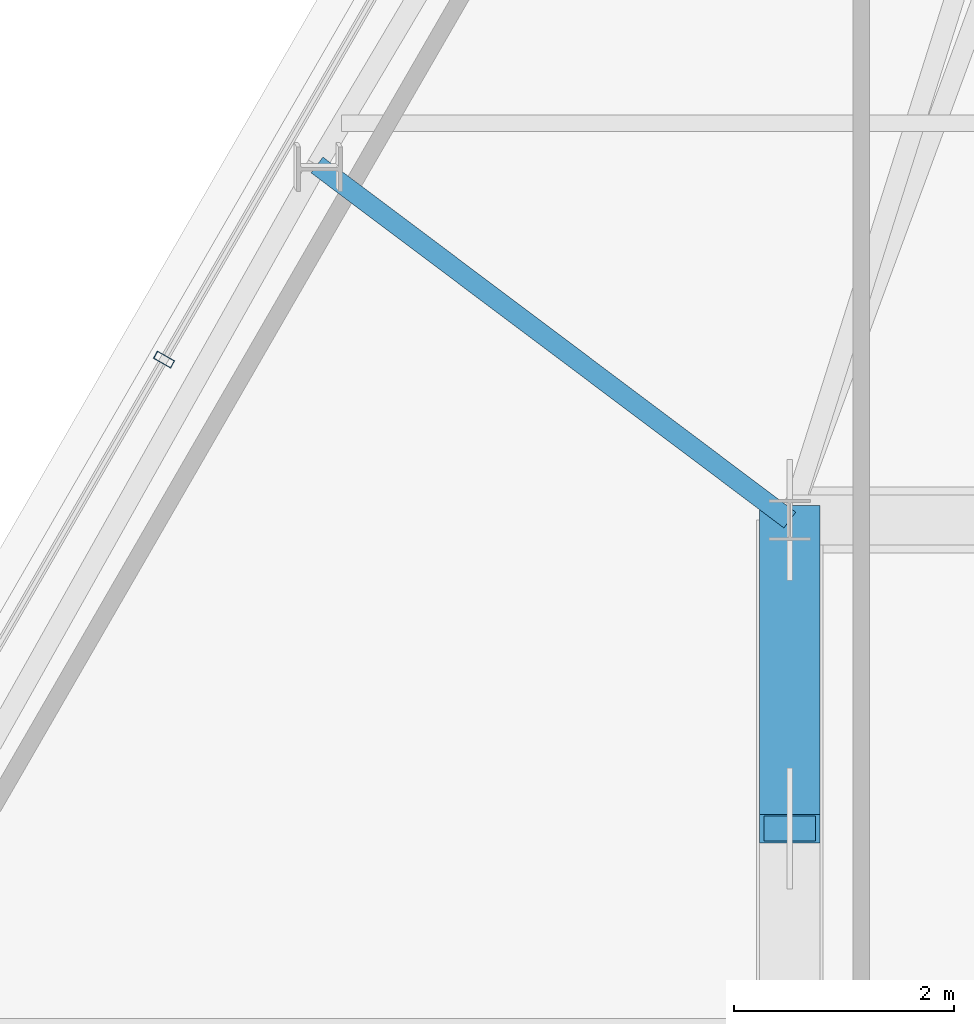
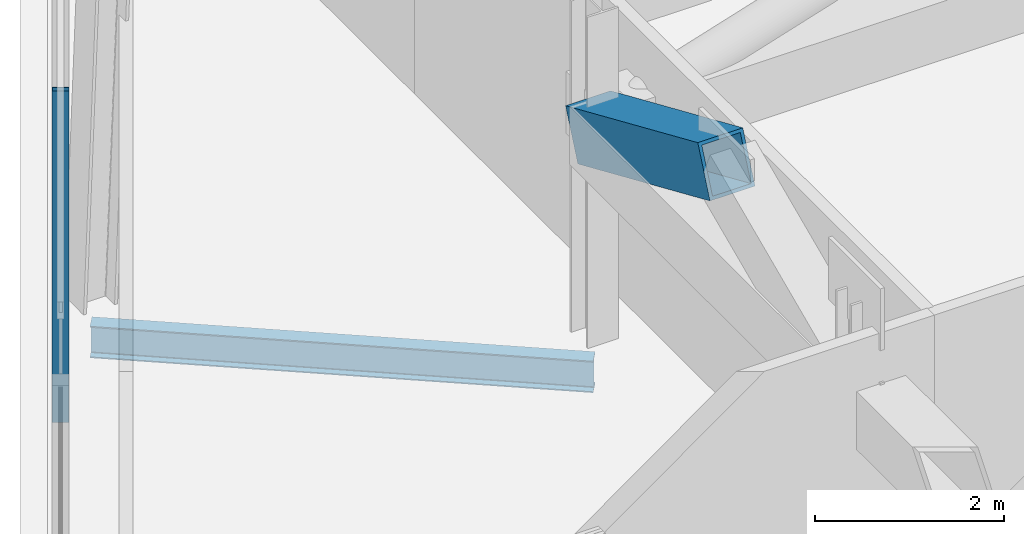
# One storey, part 12 of 32: 2 members, 1 beam, 1 element without a shape of its own.
"""IFC4 building model written with IfcOpenShell, lengths in metres."""

import ifcopenshell
import ifcopenshell.guid

model = None  # the IFC model being written
_history = None  # IfcOwnerHistory: only IFC2X3 demands one
_inside = {}  # id of a spatial element -> (the spatial element, [elements in it])
_under = {}  # id of a project, library or spatial element -> (it, [spatial elements below it])
_declared = {}  # id of a project -> (the project, [libraries it declares])
_typed = {}  # id of a type object -> (the type object, [elements of that type])
_made_of = {}  # id of a material, layer set ... -> (it, [elements and type objects made of it])


def new_model(schema):
    """Start an empty IFC model of exactly this schema.

    Asked for "IFC4X3", IfcOpenShell would pick the latest addendum, in which some entities
    have other attributes; the version numbers below select the first issue.
    IFC2X3 requires an IfcOwnerHistory on every rooted entity: one is made here for all.
    """
    global model, _history
    if schema == "IFC4X3":
        model = ifcopenshell.file(schema_version=(4, 3, 0, 0))
    else:
        model = ifcopenshell.file(schema=schema)
    _inside.clear()
    _under.clear()
    _declared.clear()
    _typed.clear()
    _made_of.clear()
    _history = None
    if model.schema == "IFC2X3":
        org = make("IfcOrganization", Name="unknown")
        user = make(
            "IfcPersonAndOrganization",
            ThePerson=make("IfcPerson", FamilyName="unknown"),
            TheOrganization=org,
        )
        app = make(
            "IfcApplication",
            ApplicationDeveloper=org,
            Version="unknown",
            ApplicationFullName="unknown",
            ApplicationIdentifier="unknown",
        )
        _history = make(
            "IfcOwnerHistory",
            OwningUser=user,
            OwningApplication=app,
            ChangeAction="ADDED",
            CreationDate=0,
        )
    return model


def make(cls, **values):
    """One entity of the class cls with the attributes given. An attribute that is None is left unset."""
    return model.create_entity(
        cls, **{name: value for name, value in values.items() if value is not None}
    )


def rooted(cls, **values):
    """An entity with a GlobalId (a new one), such as an element, a storey or a relation."""
    return make(cls, GlobalId=ifcopenshell.guid.new(), OwnerHistory=_history, **values)


def si_unit(unit_type, name, prefix=None):
    """IfcSIUnit, for example si_unit("LENGTHUNIT", "METRE", prefix="MILLI")."""
    return make("IfcSIUnit", UnitType=unit_type, Prefix=prefix, Name=name)


def assignment(units):
    """IfcUnitAssignment: the units of a project."""
    return None if units is None else make("IfcUnitAssignment", Units=units)


def point(xyz):
    """IfcCartesianPoint."""
    return None if xyz is None else make("IfcCartesianPoint", Coordinates=xyz)


def direction(xyz):
    """IfcDirection."""
    return None if xyz is None else make("IfcDirection", DirectionRatios=xyz)


def frame(location, z_axis=None, x_axis=None):
    """IfcAxis2Placement3D, a coordinate frame: its origin and axes. An axis left out is left unset."""
    return make(
        "IfcAxis2Placement3D",
        Location=point(location),
        Axis=direction(z_axis),
        RefDirection=direction(x_axis),
    )


def frame_2d(location, x_axis=None):
    """IfcAxis2Placement2D, a coordinate frame in the plane: its origin and x axis."""
    return make(
        "IfcAxis2Placement2D", Location=point(location), RefDirection=direction(x_axis)
    )


def origin():
    """The frame at (0, 0, 0) with its axes left unset."""
    return frame((0.0, 0.0, 0.0))


def origin_2d():
    """The frame at (0, 0) in the plane with its x axis left unset."""
    return frame_2d((0.0, 0.0))


def place(relative_to, where):
    """IfcLocalPlacement: puts the frame where relative to a parent placement (None: the world)."""
    return make(
        "IfcLocalPlacement", PlacementRelTo=relative_to, RelativePlacement=where
    )


def context(
    kind, dimensions, precision=None, world=None, true_north=None, identifier=None
):
    """IfcGeometricRepresentationContext, for example the 3D "Model" context."""
    return make(
        "IfcGeometricRepresentationContext",
        ContextIdentifier=identifier,
        ContextType=kind,
        CoordinateSpaceDimension=dimensions,
        Precision=precision,
        WorldCoordinateSystem=world,
        TrueNorth=true_north,
    )


def subcontext(parent, identifier, kind, view, scale=None):
    """IfcGeometricRepresentationSubContext, for example "Body" below "Model"."""
    return make(
        "IfcGeometricRepresentationSubContext",
        ContextIdentifier=identifier,
        ContextType=kind,
        ParentContext=parent,
        TargetScale=scale,
        TargetView=view,
    )


def project(units=None, contexts=None):
    """IfcProject with its units and contexts."""
    return rooted(
        "IfcProject",
        Name="project",
        RepresentationContexts=contexts,
        UnitsInContext=assignment(units),
    )


def spatial(cls, under=None, at=None, **own):
    """A site, building, storey or space (cls), placed at a placement, below another one or the project."""
    s = rooted(cls, ObjectPlacement=at, **own)
    if under is not None:
        _under.setdefault(under.id(), (under, []))[1].append(s)
    return s


def profile(cls, at=None, kind="AREA", **sizes):
    """A parametric profile (cls). Its sizes go by their IFC names, for example OverallWidth=200.0."""
    return make(cls, ProfileType=kind, Position=at, **sizes)


def hollow_rectangle(**sizes):
    """IfcRectangleHollowProfileDef."""
    return profile("IfcRectangleHollowProfileDef", **sizes)


def i_section(**sizes):
    """IfcIShapeProfileDef."""
    return profile("IfcIShapeProfileDef", **sizes)


def extrude(swept, where, along, depth):
    """IfcExtrudedAreaSolid: the profile swept, set in the frame where, extruded along a direction by depth."""
    return make(
        "IfcExtrudedAreaSolid",
        SweptArea=swept,
        Position=where,
        ExtrudedDirection=direction(along),
        Depth=depth,
    )


def shape(context_of_items, identifier, shape_type, items):
    """IfcShapeRepresentation: the items that make up one representation, for example the "Body"."""
    return make(
        "IfcShapeRepresentation",
        ContextOfItems=context_of_items,
        RepresentationIdentifier=identifier,
        RepresentationType=shape_type,
        Items=items,
    )


def material(Name=None, Category=None):
    """IfcMaterial."""
    return make("IfcMaterial", Name=Name, Category=Category)


def layer(
    of_material, thickness, ventilated=None, Name=None, Category=None, Priority=None
):
    """IfcMaterialLayer: one layer of a wall or slab, of a material (None: an air gap)."""
    return make(
        "IfcMaterialLayer",
        Material=of_material,
        LayerThickness=thickness,
        IsVentilated=ventilated,
        Name=Name,
        Category=Category,
        Priority=Priority,
    )


def layer_set(layers, Name=None):
    """IfcMaterialLayerSet."""
    return make("IfcMaterialLayerSet", MaterialLayers=layers, LayerSetName=Name)


def material_profile(
    of_material, cross_section, Name=None, Category=None, Priority=None
):
    """IfcMaterialProfile: a cross section and its material."""
    return make(
        "IfcMaterialProfile",
        Name=Name,
        Material=of_material,
        Profile=cross_section,
        Priority=Priority,
        Category=Category,
    )


def profile_set(profiles, Name=None, composite=None):
    """IfcMaterialProfileSet."""
    return make(
        "IfcMaterialProfileSet",
        Name=Name,
        MaterialProfiles=profiles,
        CompositeProfile=composite,
    )


def made_of(thing, what):
    """Note that an element or type object is made of a material, layer set ...; save() writes the relation."""
    if what is not None:
        _made_of.setdefault(what.id(), (what, []))[1].append(thing)
    return thing


def type_object(cls, material=None, **own):
    """A type object (cls), such as IfcWallType, which elements share."""
    return made_of(rooted(cls, **own), material)


def element(
    cls,
    number,
    at=None,
    inside=None,
    cuts=None,
    type_object=None,
    material=None,
    context=None,
    identifier="Body",
    shape_type=None,
    held_by="IfcProductDefinitionShape",
    body=None,
    shapes=None,
    **own,
):
    """One element of the class cls, such as IfcWall. Its Tag is "e" and its number.

    at: its placement. inside: the storey or other place that contains it. cuts: it is an
    opening in that element (IfcRelVoidsElement). A single representation is given by context,
    identifier, shape_type and body (its items); several are given by shapes. held_by: the class
    of the entity that holds the representations. save() writes the other relations.
    """
    e = rooted(cls, Tag="e%d" % number, ObjectPlacement=at, **own)
    if body is not None:
        shapes = [shape(context, identifier, shape_type, body)]
    if shapes is not None:
        e.Representation = make(held_by, Representations=shapes)
    if inside is not None:
        _inside.setdefault(inside.id(), (inside, []))[1].append(e)
    if cuts is not None:
        rooted(
            "IfcRelVoidsElement", RelatingBuildingElement=cuts, RelatedOpeningElement=e
        )
    if type_object is not None:
        _typed.setdefault(type_object.id(), (type_object, []))[1].append(e)
    return made_of(e, material)


def aggregate(whole, parts):
    """IfcRelAggregates: a whole, such as a stair, and the parts it consists of."""
    return rooted("IfcRelAggregates", RelatingObject=whole, RelatedObjects=parts)


def save(model, path):
    """Write the relations noted so far, then the file.

    IfcRelAggregates (storeys below a building ...), IfcRelContainedInSpatialStructure (elements
    in a storey), IfcRelDefinesByType, IfcRelAssociatesMaterial and IfcRelDeclares: one each for
    every whole, place, type object, material and project.
    """
    for whole, parts in _under.values():
        aggregate(whole, parts)
    for where, things in _inside.values():
        rooted(
            "IfcRelContainedInSpatialStructure",
            RelatedElements=things,
            RelatingStructure=where,
        )
    for kind, things in _typed.values():
        rooted("IfcRelDefinesByType", RelatedObjects=things, RelatingType=kind)
    for what, things in _made_of.values():
        rooted("IfcRelAssociatesMaterial", RelatedObjects=things, RelatingMaterial=what)
    for by, libraries in _declared.values():
        rooted("IfcRelDeclares", RelatingContext=by, RelatedDefinitions=libraries)
    model.write(path)


model = new_model("IFC4")

# Units and contexts
model_context = context("Model", 3, precision=1e-05, world=origin(), true_north=direction((0.0, 1.0)))
body_context = subcontext(model_context, "Body", "Model", "MODEL_VIEW")
ifc_project = project(units=[si_unit("LENGTHUNIT", "METRE"), si_unit("AREAUNIT", "SQUARE_METRE"), si_unit("VOLUMEUNIT", "CUBIC_METRE"), si_unit("PLANEANGLEUNIT", "RADIAN"), si_unit("MASSUNIT", "GRAM", prefix="KILO")], contexts=[model_context])

# Site, building, storey
site_placement = place(None, origin())
site = spatial("IfcSite", under=ifc_project, at=site_placement, CompositionType="ELEMENT")
building_placement = place(site_placement, origin())
building = spatial("IfcBuilding", under=site, at=building_placement, Name="Ndaravel Arena Tower", CompositionType="ELEMENT")
storey_placement = place(building_placement, frame((0.0, 0.0, 278.800048828125)))
storey = spatial("IfcBuildingStorey", under=building, at=storey_placement, Name="L68", CompositionType="ELEMENT", Elevation=278.800048828125)

# Beam
ifc_material_1 = material(Name="Steel S355", Category="steel")
ifc_material_profile_1 = material_profile(ifc_material_1, i_section(OverallWidth=0.1787109375, OverallDepth=0.409423828125, WebThickness=0.0087890625, FlangeThickness=0.014404296875, FilletRadius=0.01025390625, at=origin_2d()), Name="UB 406x178x67")
ifc_profile_set_1 = profile_set([ifc_material_profile_1], Name="Steel S355")
beam_type = type_object("IfcBeamType", Name="BM-GIRD-UB406", PredefinedType="BEAM", material=ifc_profile_set_1)
beam_placement = place(storey_placement, frame((29.9091796875, 26.422119140625, -0.48486328125), z_axis=(0.799634044334, -0.600487631131, 0.0), x_axis=(0.600487631131, 0.799634044334, 0.0)))
element("IfcBeam", 1, at=beam_placement, inside=storey, type_object=beam_type, Name="L68 Radial Floor Girder FG-19", PredefinedType="BEAM", context=body_context, shape_type="SweptSolid", body=[
    extrude(i_section(OverallWidth=0.1787109375, OverallDepth=0.409423828125, WebThickness=0.0087890625, FlangeThickness=0.014404296875, FilletRadius=0.01025390625, at=origin_2d()), origin(), (0.0, 0.0, 1.0), 5.365966796875),
])

# Curtain wall, member
ifc_material_2 = material(Name="Aluminium", Category="aluminium")
ifc_layer = layer(ifc_material_2, 0.179931640625)
ifc_layer_set = layer_set([ifc_layer], Name="Aluminium")
curtain_wall_type = type_object("IfcCurtainWallType", Name="CW-SYS-03", PredefinedType="NOTDEFINED", material=ifc_layer_set)
curtain_wall_placement = place(storey_placement, origin())
curtain_wall = element("IfcCurtainWall", 2, at=curtain_wall_placement, inside=storey, type_object=curtain_wall_type, Name="L68 Faceted Crystal Curtain Wall CW-L68-E05", PredefinedType="NOTDEFINED")
ifc_material_3 = material(Name="Aluminium", Category="aluminium")
ifc_material_profile_2 = material_profile(ifc_material_3, hollow_rectangle(XDim=0.074951171875, YDim=0.179931640625, WallThickness=0.00390625, at=origin_2d()), Name="CW MULLION 75x180x4")
ifc_profile_set_2 = profile_set([ifc_material_profile_2], Name="Aluminium")
member_type_1 = type_object("IfcMemberType", Name="MEM-CW-MUL180", PredefinedType="MULLION", material=ifc_profile_set_2)
member_1_placement = place(storey_placement, frame((28.520263671875, 24.656494140625, 0.0), z_axis=(0.0, 0.0, 1.0), x_axis=(-0.5, -0.866025403784, 0.0)))
member_1 = element("IfcMember", 3, at=member_1_placement, type_object=member_type_1, Name="CW-L68-E05 Mullion 05", PredefinedType="MULLION", context=body_context, shape_type="SweptSolid", body=[
    extrude(hollow_rectangle(XDim=0.074951171875, YDim=0.179931640625, WallThickness=0.00390625, at=origin_2d()), origin(), (0.0, 0.0, 1.0), 4.280029296875),
])
aggregate(curtain_wall, [member_1])

# Member
ifc_material_4 = material(Name="Steel S460", Category="steel")
ifc_material_profile_3 = material_profile(ifc_material_4, hollow_rectangle(XDim=0.550048828125, YDim=0.64990234375, WallThickness=0.0400390625, at=origin_2d()), Name="BOX 650x550x40")
ifc_profile_set_3 = profile_set([ifc_material_profile_3], Name="Steel S460")
member_type_2 = type_object("IfcMemberType", Name="MEM-OT-DIAG", PredefinedType="BRACE", material=ifc_profile_set_3)
member_2_placement = place(storey_placement, frame((34.199951171875, 20.39990234375, 3.89990234375), z_axis=(0.0, 0.916763520157, -0.399430404588), x_axis=(-1.0, 0.0, 0.0)))
element("IfcMember", 4, at=member_2_placement, inside=storey, type_object=member_type_2, Name="Outrigger Truss OT-3.1 Diagonal 2", PredefinedType="BRACE", context=body_context, shape_type="SweptSolid", body=[
    extrude(hollow_rectangle(XDim=0.550048828125, YDim=0.64990234375, WallThickness=0.0400390625, at=origin_2d()), origin(), (0.0, 0.0, 1.0), 3.05419921875),
])

save(model, "model.ifc")
